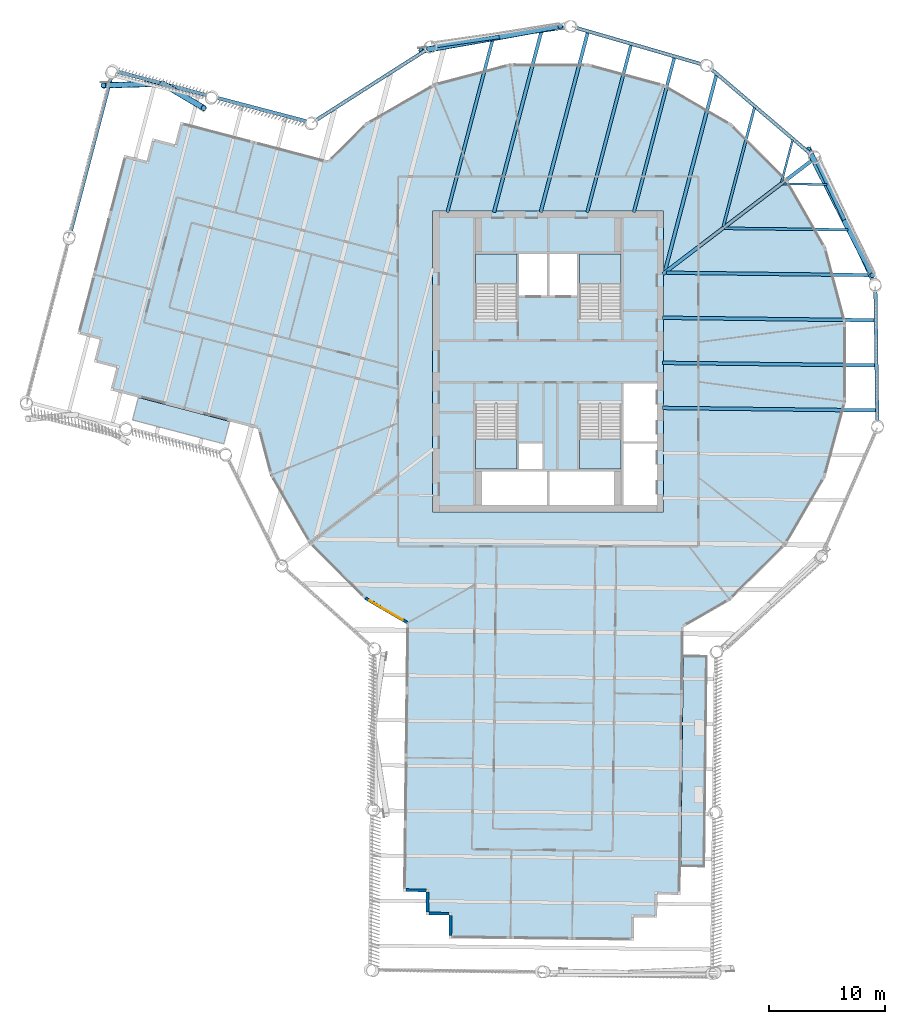
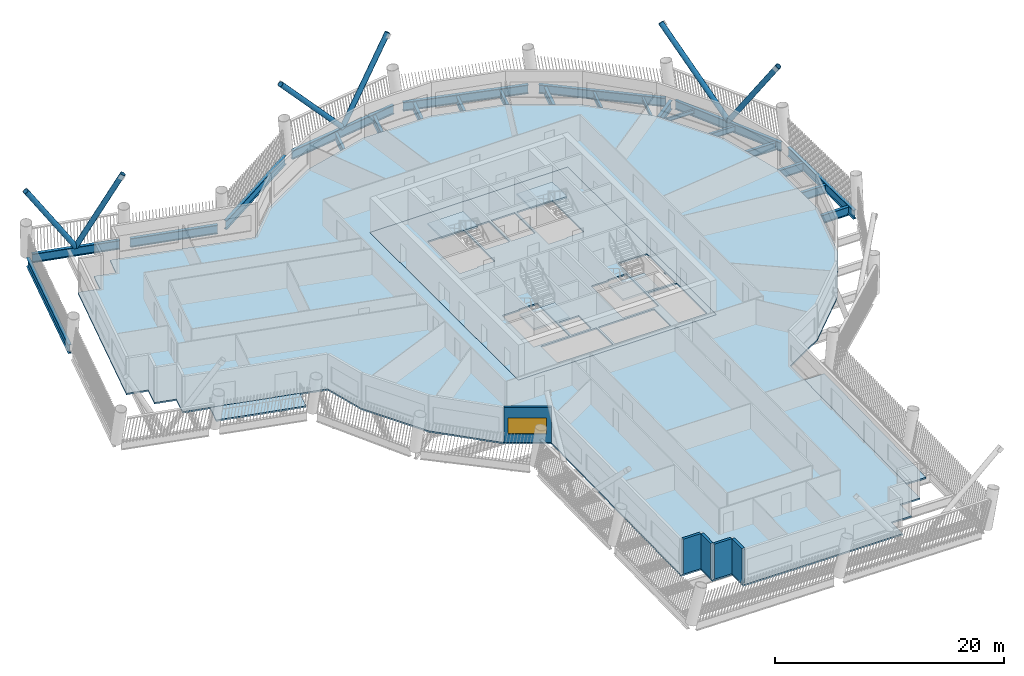
# One storey, part 2 of 21: 24 beams, 8 slabs, 6 members, 5 walls, 1 window, 1 opening, 4 elements without a shape of their own.
"""IFC4 building model written with IfcOpenShell, lengths in metres."""

from ifc_helpers import new_model, si_unit, direction, frame, frame_2d, origin, origin_2d, place, context, subcontext, project, spatial, polyline, rectangle, hollow_circle, i_section, outline, extrude, material, layer, layer_set, material_profile, profile_set, type_object, element, fill, aggregate, save


model = new_model("IFC4")

# Units and contexts
model_context = context("Model", 3, precision=1e-05, world=origin(), true_north=direction((0.0, 1.0)))
body_context = subcontext(model_context, "Body", "Model", "MODEL_VIEW")
ifc_project = project(units=[si_unit("LENGTHUNIT", "METRE"), si_unit("AREAUNIT", "SQUARE_METRE"), si_unit("VOLUMEUNIT", "CUBIC_METRE"), si_unit("PLANEANGLEUNIT", "RADIAN"), si_unit("MASSUNIT", "GRAM", prefix="KILO")], contexts=[model_context])

# Site, building, storey
site_placement = place(None, origin())
site = spatial("IfcSite", under=ifc_project, at=site_placement, CompositionType="ELEMENT")
building_placement = place(site_placement, origin())
building = spatial("IfcBuilding", under=site, at=building_placement, Name="Tarsis Ring Headquarters", CompositionType="ELEMENT")
storey_placement = place(building_placement, frame((0.0, 0.0, 223.800048828125)))
storey = spatial("IfcBuildingStorey", under=building, at=storey_placement, Name="L52", CompositionType="ELEMENT", Elevation=223.800048828125)

# Beams
ifc_material_1 = material(Name="Structural steel S355", Category="steel")
ifc_material_profile_1 = material_profile(ifc_material_1, i_section(OverallWidth=0.177734375, OverallDepth=0.406494140625, WebThickness=0.0078125, FlangeThickness=0.0126953125, at=origin_2d()), Name="W16x40")
ifc_profile_set_1 = profile_set([ifc_material_profile_1], Name="Structural steel S355")
beam_type_1 = type_object("IfcBeamType", Name="FB Floor beam W16x40", PredefinedType="JOIST", material=ifc_profile_set_1)
beam_1_placement = place(storey_placement, frame((20.302490234375, 15.360107421875, -0.36328125), z_axis=(0.999929554387, -0.011869551977, 0.0), x_axis=(0.011869551977, 0.999929554387, 0.0)))
element("IfcBeam", 1, at=beam_1_placement, inside=storey, type_object=beam_type_1, Name="Floor beam FB1", PredefinedType="JOIST", context=body_context, shape_type="SweptSolid", body=[
    extrude(i_section(OverallWidth=0.177734375, OverallDepth=0.406494140625, WebThickness=0.0078125, FlangeThickness=0.0126953125, at=origin_2d()), origin(), (0.0, 0.0, 1.0), 3.80517578125),
])
beam_2_placement = place(storey_placement, frame((21.153564453125, 19.189697265625, -0.36328125), z_axis=(-0.253419429878, -0.967356497141, 0.0), x_axis=(0.967356497141, -0.253419429878, 0.0)))
element("IfcBeam", 2, at=beam_2_placement, inside=storey, type_object=beam_type_1, Name="Floor beam FB1", PredefinedType="JOIST", context=body_context, shape_type="SweptSolid", body=[
    extrude(i_section(OverallWidth=0.177734375, OverallDepth=0.406494140625, WebThickness=0.0078125, FlangeThickness=0.0126953125, at=origin_2d()), origin(), (0.0, 0.0, 1.0), 3.805419921875),
])
ifc_material_profile_2 = material_profile(ifc_material_1, i_section(OverallWidth=0.228271484375, OverallDepth=0.607177734375, WebThickness=0.01123046875, FlangeThickness=0.017333984375, at=origin_2d()), Name="W24x76")
ifc_profile_set_2 = profile_set([ifc_material_profile_2], Name="Structural steel S355")
beam_type_2 = type_object("IfcBeamType", Name="FB Floor beam W24x76", PredefinedType="JOIST", material=ifc_profile_set_2)
beam_3_placement = place(storey_placement, frame((15.264892578125, 11.51953125, -0.463623046875), z_axis=(0.999929679098, -0.011859041234, 0.0), x_axis=(0.011859041234, 0.999929679098, 0.0)))
element("IfcBeam", 3, at=beam_3_placement, inside=storey, type_object=beam_type_2, Name="Floor beam FB4", PredefinedType="JOIST", context=body_context, shape_type="SweptSolid", body=[
    extrude(i_section(OverallWidth=0.228271484375, OverallDepth=0.607177734375, WebThickness=0.01123046875, FlangeThickness=0.017333984375, at=origin_2d()), origin(), (0.0, 0.0, 1.0), 10.6845703125),
])
beam_4_placement = place(storey_placement, frame((17.859375, 22.004150390625, -0.463623046875), z_axis=(-0.253423539518, -0.967355420524, 0.0), x_axis=(0.967355420524, -0.253423539518, 0.0)))
element("IfcBeam", 4, at=beam_4_placement, inside=storey, type_object=beam_type_2, Name="Floor beam FB4", PredefinedType="JOIST", context=body_context, shape_type="SweptSolid", body=[
    extrude(i_section(OverallWidth=0.228271484375, OverallDepth=0.607177734375, WebThickness=0.01123046875, FlangeThickness=0.017333984375, at=origin_2d()), origin(), (0.0, 0.0, 1.0), 10.684814453125),
])
ifc_material_profile_3 = material_profile(ifc_material_1, i_section(OverallWidth=0.2666015625, OverallDepth=0.7568359375, WebThickness=0.013916015625, FlangeThickness=0.019287109375, at=origin_2d()), Name="W30x108")
ifc_profile_set_3 = profile_set([ifc_material_profile_3], Name="Structural steel S355")
beam_type_3 = type_object("IfcBeamType", Name="FB Floor beam W30x108", PredefinedType="JOIST", material=ifc_profile_set_3)
beam_5_placement = place(storey_placement, frame((10.931640625, 26.33837890625, -0.53857421875), z_axis=(-0.253431458954, -0.967353345791, 0.0), x_axis=(0.967353345791, -0.253431458954, 0.0)))
element("IfcBeam", 5, at=beam_5_placement, inside=storey, type_object=beam_type_3, Name="Floor beam FB6", PredefinedType="JOIST", context=body_context, shape_type="SweptSolid", body=[
    extrude(i_section(OverallWidth=0.2666015625, OverallDepth=0.7568359375, WebThickness=0.013916015625, FlangeThickness=0.019287109375, at=origin_2d()), origin(), (0.0, 0.0, 1.0), 13.888427734375),
])
beam_6_placement = place(storey_placement, frame((7.1845703125, 27.424560546875, -0.53857421875), z_axis=(-0.25342280724, -0.967355612363, 0.0), x_axis=(0.967355612363, -0.25342280724, 0.0)))
element("IfcBeam", 6, at=beam_6_placement, inside=storey, type_object=beam_type_3, Name="Floor beam FB6", PredefinedType="JOIST", context=body_context, shape_type="SweptSolid", body=[
    extrude(i_section(OverallWidth=0.2666015625, OverallDepth=0.7568359375, WebThickness=0.013916015625, FlangeThickness=0.019287109375, at=origin_2d()), origin(), (0.0, 0.0, 1.0), 15.01123046875),
])
beam_7_placement = place(storey_placement, frame((-4.77587890625, 27.9375, -0.53857421875), z_axis=(-0.253431493681, -0.967353336693, 0.0), x_axis=(0.967353336693, -0.253431493681, 0.0)))
element("IfcBeam", 7, at=beam_7_placement, inside=storey, type_object=beam_type_3, Name="Floor beam FB6", PredefinedType="JOIST", context=body_context, shape_type="SweptSolid", body=[
    extrude(i_section(OverallWidth=0.2666015625, OverallDepth=0.7568359375, WebThickness=0.013916015625, FlangeThickness=0.019287109375, at=origin_2d()), origin(), (0.0, 0.0, 1.0), 15.54150390625),
])
ifc_material_profile_4 = material_profile(ifc_material_1, i_section(OverallWidth=0.2919921875, OverallDepth=0.835693359375, WebThickness=0.013916015625, FlangeThickness=0.018798828125, at=origin_2d()), Name="W33x118")
ifc_profile_set_4 = profile_set([ifc_material_profile_4], Name="Structural steel S355")
beam_type_4 = type_object("IfcBeamType", Name="FB Floor beam W33x118", PredefinedType="JOIST", material=ifc_profile_set_4)
beam_8_placement = place(storey_placement, frame((10.22705078125, 7.67919921875, -0.577880859375), z_axis=(0.999929543166, -0.011870497232, 0.0), x_axis=(0.011870497232, 0.999929543166, 0.0)))
element("IfcBeam", 8, at=beam_8_placement, inside=storey, type_object=beam_type_4, Name="Floor beam FB7", PredefinedType="JOIST", context=body_context, shape_type="SweptSolid", body=[
    extrude(i_section(OverallWidth=0.2919921875, OverallDepth=0.835693359375, WebThickness=0.013916015625, FlangeThickness=0.018798828125, at=origin_2d()), origin(), (0.0, 0.0, 1.0), 17.564208984375),
])
beam_9_placement = place(storey_placement, frame((14.56494140625, 24.818603515625, -0.577880859375), z_axis=(-0.253421022341, -0.96735607996, 0.0), x_axis=(0.96735607996, -0.253421022341, 0.0)))
element("IfcBeam", 9, at=beam_9_placement, inside=storey, type_object=beam_type_4, Name="Floor beam FB7", PredefinedType="JOIST", context=body_context, shape_type="SweptSolid", body=[
    extrude(i_section(OverallWidth=0.2919921875, OverallDepth=0.835693359375, WebThickness=0.013916015625, FlangeThickness=0.018798828125, at=origin_2d()), origin(), (0.0, 0.0, 1.0), 17.564453125),
])
beam_10_placement = place(storey_placement, frame((3.4375, 28.510986328125, -0.577880859375), z_axis=(-0.253425810198, -0.967354825659, 0.0), x_axis=(0.967354825659, -0.253425810198, 0.0)))
element("IfcBeam", 10, at=beam_10_placement, inside=storey, type_object=beam_type_4, Name="Floor beam FB7", PredefinedType="JOIST", context=body_context, shape_type="SweptSolid", body=[
    extrude(i_section(OverallWidth=0.2919921875, OverallDepth=0.835693359375, WebThickness=0.013916015625, FlangeThickness=0.018798828125, at=origin_2d()), origin(), (0.0, 0.0, 1.0), 16.13427734375),
])
beam_11_placement = place(storey_placement, frame((-0.586669921875, 28.539306640625, -0.577880859375), z_axis=(-0.253420305421, -0.967356267773, 0.0), x_axis=(0.967356267773, -0.253420305421, 0.0)))
element("IfcBeam", 11, at=beam_11_placement, inside=storey, type_object=beam_type_4, Name="Floor beam FB7", PredefinedType="JOIST", context=body_context, shape_type="SweptSolid", body=[
    extrude(i_section(OverallWidth=0.2919921875, OverallDepth=0.835693359375, WebThickness=0.013916015625, FlangeThickness=0.018798828125, at=origin_2d()), origin(), (0.0, 0.0, 1.0), 16.16357421875),
])
ifc_material_profile_5 = material_profile(ifc_material_1, i_section(OverallWidth=0.3046875, OverallDepth=0.904296875, WebThickness=0.01513671875, FlangeThickness=0.02001953125, at=origin_2d()), Name="W36x135")
ifc_profile_set_5 = profile_set([ifc_material_profile_5], Name="Structural steel S355")
beam_type_5 = type_object("IfcBeamType", Name="FB Floor beam W36x135", PredefinedType="JOIST", material=ifc_profile_set_5)
beam_12_placement = place(storey_placement, frame((9.89990234375, 3.78271484375, -0.612060546875), z_axis=(0.999929602137, -0.011865528668, 0.0), x_axis=(0.011865528668, 0.999929602137, 0.0)))
element("IfcBeam", 12, at=beam_12_placement, inside=storey, type_object=beam_type_5, Name="Floor beam FB8", PredefinedType="JOIST", context=body_context, shape_type="SweptSolid", body=[
    extrude(i_section(OverallWidth=0.3046875, OverallDepth=0.904296875, WebThickness=0.01513671875, FlangeThickness=0.02001953125, at=origin_2d()), origin(), (0.0, 0.0, 1.0), 18.39453125),
])
beam_13_placement = place(storey_placement, frame((9.89990234375, -0.117431640625, -0.612060546875), z_axis=(0.999929550305, -0.011869895805, 0.0), x_axis=(0.011869895805, 0.999929550305, 0.0)))
element("IfcBeam", 13, at=beam_13_placement, inside=storey, type_object=beam_type_5, Name="Floor beam FB8", PredefinedType="JOIST", context=body_context, shape_type="SweptSolid", body=[
    extrude(i_section(OverallWidth=0.3046875, OverallDepth=0.904296875, WebThickness=0.01513671875, FlangeThickness=0.02001953125, at=origin_2d()), origin(), (0.0, 0.0, 1.0), 18.449462890625),
])
beam_14_placement = place(storey_placement, frame((9.89990234375, -4.017822265625, -0.612060546875), z_axis=(0.999929655328, -0.011861045272, 0.0), x_axis=(0.011861045272, 0.999929655328, 0.0)))
element("IfcBeam", 14, at=beam_14_placement, inside=storey, type_object=beam_type_5, Name="Floor beam FB8", PredefinedType="JOIST", context=body_context, shape_type="SweptSolid", body=[
    extrude(i_section(OverallWidth=0.3046875, OverallDepth=0.904296875, WebThickness=0.01513671875, FlangeThickness=0.02001953125, at=origin_2d()), origin(), (0.0, 0.0, 1.0), 18.50439453125),
])
ifc_material_profile_6 = material_profile(ifc_material_1, i_section(OverallWidth=0.309814453125, OverallDepth=0.949951171875, WebThickness=0.0244140625, FlangeThickness=0.0439453125, at=origin_2d()), Name="W36x256")
ifc_profile_set_6 = profile_set([ifc_material_profile_6], Name="Structural steel S355")
beam_type_6 = type_object("IfcBeamType", Name="FB Floor beam W36x256 spine", PredefinedType="BEAM", material=ifc_profile_set_6)
beam_15_placement = place(storey_placement, frame((23.0546875, 17.57568359375, -0.635009765625), z_axis=(-0.795260323375, -0.606268107413, 0.0), x_axis=(0.606268107413, -0.795260323375, 0.0)))
element("IfcBeam", 15, at=beam_15_placement, inside=storey, type_object=beam_type_6, Name="Floor beam SB11", PredefinedType="BEAM", context=body_context, shape_type="SweptSolid", body=[
    extrude(i_section(OverallWidth=0.309814453125, OverallDepth=0.949951171875, WebThickness=0.0244140625, FlangeThickness=0.0439453125, at=origin_2d()), origin(), (0.0, 0.0, 1.0), 16.515625),
])

# Members
ifc_material_profile_7 = material_profile(ifc_material_1, hollow_circle(Radius=0.25390625, WallThickness=0.02001953125, at=origin_2d()), Name="CHS 508x20")
ifc_profile_set_7 = profile_set([ifc_material_profile_7], Name="Structural steel S355")
member_type = type_object("IfcMemberType", Name="XD X brace CHS 508x20", PredefinedType="BRACE", material=ifc_profile_set_7)
member_1_placement = place(storey_placement, frame((25.703857421875, 12.067138671875, 0.0), z_axis=(-0.304405260299, 0.598981274512, 0.740647601958), x_axis=(-0.891482215201, -0.453055691919, 0.0)))
element("IfcMember", 16, at=member_1_placement, inside=storey, type_object=member_type, Name="X brace XD2", PredefinedType="BRACE", context=body_context, shape_type="SweptSolid", body=[
    extrude(hollow_circle(Radius=0.25390625, WallThickness=0.02001953125, at=origin_2d()), origin(), (0.0, 0.0, 1.0), 10.531494140625),
])
member_2_placement = place(storey_placement, frame((25.703857421875, 12.067138671875, 0.0), z_axis=(0.253021576771, -0.491383552909, 0.833380036729), x_axis=(0.889059546923, 0.457791570504, 0.0)))
element("IfcMember", 17, at=member_2_placement, inside=storey, type_object=member_type, Name="X brace XD2", PredefinedType="BRACE", context=body_context, shape_type="SweptSolid", body=[
    extrude(hollow_circle(Radius=0.25390625, WallThickness=0.02001953125, at=origin_2d()), origin(), (0.0, 0.0, 1.0), 9.359619140625),
])
member_3_placement = place(storey_placement, frame((-4.038330078125, 28.10693359375, 0.0), z_axis=(-0.661744004284, -0.116283339481, 0.740657179641), x_axis=(0.173070782772, -0.984909388802, 0.0)))
element("IfcMember", 18, at=member_3_placement, inside=storey, type_object=member_type, Name="X brace XD2", PredefinedType="BRACE", context=body_context, shape_type="SweptSolid", body=[
    extrude(hollow_circle(Radius=0.25390625, WallThickness=0.02001953125, at=origin_2d()), origin(), (0.0, 0.0, 1.0), 10.53125),
])
member_4_placement = place(storey_placement, frame((-4.038330078125, 28.10693359375, 0.0), z_axis=(0.543839623213, 0.098574029264, 0.833379640367), x_axis=(-0.17834965479, 0.983967174573, 0.0)))
element("IfcMember", 19, at=member_4_placement, inside=storey, type_object=member_type, Name="X brace XD2", PredefinedType="BRACE", context=body_context, shape_type="SweptSolid", body=[
    extrude(hollow_circle(Radius=0.25390625, WallThickness=0.02001953125, at=origin_2d()), origin(), (0.0, 0.0, 1.0), 9.359619140625),
])
member_5_placement = place(storey_placement, frame((-33.346435546875, 24.03515625, 0.0), z_axis=(-0.549254435386, -0.015795347282, 0.835505878024), x_axis=(0.028745912371, -0.999586750874, 0.0)))
element("IfcMember", 20, at=member_5_placement, inside=storey, type_object=member_type, Name="X brace XD2", PredefinedType="BRACE", context=body_context, shape_type="SweptSolid", body=[
    extrude(hollow_circle(Radius=0.25390625, WallThickness=0.02001953125, at=origin_2d()), origin(), (0.0, 0.0, 1.0), 9.335693359375),
])
member_6_placement = place(storey_placement, frame((-33.346435546875, 24.03515625, 0.0), z_axis=(0.402632148073, -0.239422330908, 0.883495501291), x_axis=(0.511106039913, 0.859517664719, 0.0)))
element("IfcMember", 21, at=member_6_placement, inside=storey, type_object=member_type, Name="X brace XD2", PredefinedType="BRACE", context=body_context, shape_type="SweptSolid", body=[
    extrude(hollow_circle(Radius=0.25390625, WallThickness=0.02001953125, at=origin_2d()), origin(), (0.0, 0.0, 1.0), 8.82861328125),
])

# Beams
beam_type_7 = type_object("IfcBeamType", Name="XG Ring girder W36x256", PredefinedType="BEAM", material=ifc_profile_set_6)
beam_16_placement = place(storey_placement, frame((28.47216796875, -5.244140625, -0.47509765625), z_axis=(-0.014079151174, 0.999900883839, 0.0), x_axis=(-0.999900883839, -0.014079151174, 0.0)))
element("IfcBeam", 22, at=beam_16_placement, inside=storey, type_object=beam_type_7, Name="Ring girder XG2", PredefinedType="BEAM", context=body_context, shape_type="SweptSolid", body=[
    extrude(i_section(OverallWidth=0.309814453125, OverallDepth=0.949951171875, WebThickness=0.0244140625, FlangeThickness=0.0439453125, at=origin_2d()), origin(), (0.0, 0.0, 1.0), 11.288818359375),
])
for number, where, z_axis, x_axis, name in (
    (23, (28.1025390625, 6.9580078125, -0.47509765625), (-0.424974047242, 0.905205534214, 0.0), (-0.905205534214, -0.424974047242, 0.0), "Ring girder XG2"),
    (24, (22.736083984375, 17.9228515625, -0.47509765625), (-0.760301356954, 0.649570509348, 0.0), (-0.649570509348, -0.760301356954, 0.0), "Ring girder XG2"),
    (25, (13.3271484375, 25.701171875, -0.47509765625), (-0.960457481783, 0.278426697151, 0.0), (-0.278426697151, -0.960457481783, 0.0), "Ring girder XG2"),
    (26, (1.548583984375, 28.90966796875, -0.47509765625), (-0.989834979179, -0.142220652488, 0.0), (0.142220652488, -0.989834979179, 0.0), "Ring girder XG2"),
    (27, (-10.50537109375, 26.977783203125, -0.47509765625), (-0.843222173864, -0.537565219768, 0.0), (0.537565219768, -0.843222173864, 0.0), "Ring girder XG2"),
):
    element("IfcBeam", number, at=place(storey_placement, frame(where, z_axis=z_axis, x_axis=x_axis)), inside=storey, type_object=beam_type_7, Name=name, PredefinedType="BEAM", context=body_context, shape_type="SweptSolid", body=[
        extrude(i_section(OverallWidth=0.309814453125, OverallDepth=0.949951171875, WebThickness=0.0244140625, FlangeThickness=0.0439453125, at=origin_2d()), origin(), (0.0, 0.0, 1.0), 11.28857421875),
    ])
for number, where, z_axis, x_axis, name in (
    (28, (-20.893310546875, 20.77294921875, -0.47509765625), (-0.967356256242, 0.253420349438, 0.0), (-0.253420349438, -0.967356256242, 0.0), "Ring girder XG2"),
    (29, (-29.5048828125, 23.02880859375, -0.47509765625), (-0.967356256242, 0.253420349438, 0.0), (-0.253420349438, -0.967356256242, 0.0), "Ring girder XG2"),
):
    element("IfcBeam", number, at=place(storey_placement, frame(where, z_axis=z_axis, x_axis=x_axis)), inside=storey, type_object=beam_type_7, Name=name, PredefinedType="BEAM", context=body_context, shape_type="SweptSolid", body=[
        extrude(i_section(OverallWidth=0.309814453125, OverallDepth=0.949951171875, WebThickness=0.0244140625, FlangeThickness=0.0439453125, at=origin_2d()), origin(), (0.0, 0.0, 1.0), 7.942138671875),
    ])
beam_17_placement = place(storey_placement, frame((-37.77392578125, 24.698974609375, -0.47509765625), z_axis=(-0.253419920348, -0.967356368652, 0.0), x_axis=(0.967356368652, -0.253419920348, 0.0)))
element("IfcBeam", 30, at=beam_17_placement, inside=storey, type_object=beam_type_7, Name="Ring girder XG2", PredefinedType="BEAM", context=body_context, shape_type="SweptSolid", body=[
    extrude(i_section(OverallWidth=0.309814453125, OverallDepth=0.949951171875, WebThickness=0.0244140625, FlangeThickness=0.0439453125, at=origin_2d()), origin(), (0.0, 0.0, 1.0), 13.840087890625),
])

# Slabs
ifc_material_2 = material(Name="Concrete C40/50", Category="concrete")
ifc_layer_1 = layer(ifc_material_2, 0.159912109375)
ifc_layer_set_1 = layer_set([ifc_layer_1], Name="Balcony slab concrete C40/50")
slab_type_1 = type_object("IfcSlabType", Name="Balcony slab concrete C40/50", PredefinedType="FLOOR", material=ifc_layer_set_1)
slab_1_placement = place(storey_placement, frame((0.0, 0.0, -0.16015625)))
element("IfcSlab", 31, at=slab_1_placement, inside=storey, type_object=slab_type_1, Name="Balcony slab L52-01", PredefinedType="FLOOR", context=body_context, shape_type="SweptSolid", body=[
    extrude(outline(polyline([(-35.447509765625, -3.11865234375), (-35.954345703125, -5.053466796875), (-28.049072265625, -7.124267578125), (-27.542236328125, -5.189697265625), (-35.447509765625, -3.11865234375)])), origin(), (0.0, 0.0, 1.0), 0.16015625),
])
slab_2_placement = place(storey_placement, frame((0.0, 0.0, -0.16015625)))
element("IfcSlab", 32, at=slab_2_placement, inside=storey, type_object=slab_type_1, Name="Balcony slab L52-16", PredefinedType="FLOOR", context=body_context, shape_type="SweptSolid", body=[
    extrude(outline(polyline([(11.48291015625, -43.639404296875), (13.482666015625, -43.6630859375), (13.6982421875, -25.51318359375), (11.6982421875, -25.4892578125), (11.48291015625, -43.639404296875)])), origin(), (0.0, 0.0, 1.0), 0.16015625),
])
ifc_layer_2 = layer(ifc_material_2, 0.159912109375)
ifc_layer_set_2 = layer_set([ifc_layer_2], Name="Core floor slab 160 C40/50")
slab_type_2 = type_object("IfcSlabType", Name="Core floor slab 160 C40/50", PredefinedType="FLOOR", material=ifc_layer_set_2)
slab_3_placement = place(storey_placement, frame((0.0, 0.0, -0.16015625)))
element("IfcSlab", 33, at=slab_3_placement, inside=storey, type_object=slab_type_2, Name="L52 core floor slab", PredefinedType="FLOOR", context=body_context, shape_type="SweptSolid", body=[
    extrude(outline(polyline([(-10.0, -13.0), (10.0, -13.0), (10.0, 13.0), (-10.0, 13.0), (-10.0, -13.0)]), holes=[polyline([(-2.5, 5.699951171875), (-0.10009765625, 5.699951171875), (-0.10009765625, 9.300048828125), (-2.5, 9.300048828125), (-2.5, 5.699951171875)]), polyline([(0.10009765625, 5.699951171875), (2.5, 5.699951171875), (2.5, 9.300048828125), (0.10009765625, 9.300048828125), (0.10009765625, 5.699951171875)]), polyline([(6.5, -12.39990234375), (9.39990234375, -12.39990234375), (9.39990234375, -7.10009765625), (6.5, -7.10009765625), (6.5, -12.39990234375)]), polyline([(6.5, -6.89990234375), (9.39990234375, -6.89990234375), (9.39990234375, -1.89990234375), (6.5, -1.89990234375), (6.5, -6.89990234375)]), polyline([(-5.699951171875, -12.39990234375), (-0.10009765625, -12.39990234375), (-0.10009765625, -9.5), (-5.699951171875, -9.5), (-5.699951171875, -12.39990234375)]), polyline([(0.10009765625, -12.39990234375), (5.699951171875, -12.39990234375), (5.699951171875, -9.5), (0.10009765625, -9.5), (0.10009765625, -12.39990234375)]), polyline([(-2.5, -9.300048828125), (-0.5, -9.300048828125), (-0.5, -7.10009765625), (-2.5, -7.10009765625), (-2.5, -9.300048828125)]), polyline([(-2.699951171875, 3.760009765625), (-2.699951171875, 9.300048828125), (-6.300048828125, 9.300048828125), (-6.300048828125, 3.659912109375), (-4.4599609375, 3.659912109375), (-4.4599609375, 3.760009765625), (-2.699951171875, 3.760009765625)]), polyline([(6.300048828125, 3.760009765625), (6.300048828125, 9.300048828125), (2.699951171875, 9.300048828125), (2.699951171875, 3.659912109375), (4.5400390625, 3.659912109375), (4.5400390625, 3.760009765625), (6.300048828125, 3.760009765625)]), polyline([(-6.300048828125, -3.760009765625), (-6.300048828125, -9.300048828125), (-2.699951171875, -9.300048828125), (-2.699951171875, -3.659912109375), (-4.5400390625, -3.659912109375), (-4.5400390625, -3.760009765625), (-6.300048828125, -3.760009765625)]), polyline([(2.699951171875, -3.760009765625), (2.699951171875, -9.300048828125), (6.300048828125, -9.300048828125), (6.300048828125, -3.659912109375), (4.4599609375, -3.659912109375), (4.4599609375, -3.760009765625), (2.699951171875, -3.760009765625)])]), origin(), (0.0, 0.0, 1.0), 0.16015625),
])

# Stair, slab
ifc_material_3 = material(Name="Core stair 1760")
stair_type = type_object("IfcStairType", Name="Core stair 1760", PredefinedType="HALF_TURN_STAIR", material=ifc_material_3)
stair_1_placement = place(storey_placement, origin())
stair_1 = element("IfcStair", 34, at=stair_1_placement, inside=storey, type_object=stair_type, Name="L52 Firefighting stair", PredefinedType="HALF_TURN_STAIR")
ifc_layer_3 = layer(ifc_material_2, 0.199951171875)
ifc_layer_set_3 = layer_set([ifc_layer_3], Name="Core stair landing 200")
slab_type_3 = type_object("IfcSlabType", Name="Core stair landing 200", PredefinedType="LANDING", material=ifc_layer_set_3)
slab_4_placement = place(storey_placement, frame((0.0, 0.0, 1.75)))
slab_4 = element("IfcSlab", 35, at=slab_4_placement, type_object=slab_type_3, Name="Stair ST1 landing 1", PredefinedType="LANDING", context=body_context, shape_type="SweptSolid", body=[
    extrude(outline(polyline([(-2.699951171875, 6.739990234375), (-2.699951171875, 9.300048828125), (-6.300048828125, 9.300048828125), (-6.300048828125, 6.739990234375), (-2.699951171875, 6.739990234375)])), origin(), (0.0, 0.0, 1.0), 0.199951171875),
])
aggregate(stair_1, [slab_4])

stair_2_placement = place(storey_placement, origin())
stair_2 = element("IfcStair", 36, at=stair_2_placement, inside=storey, type_object=stair_type, Name="L52 Exit stair B", PredefinedType="HALF_TURN_STAIR")
slab_5_placement = place(storey_placement, frame((0.0, 0.0, 1.75)))
slab_5 = element("IfcSlab", 37, at=slab_5_placement, type_object=slab_type_3, Name="Stair ST2 landing 1", PredefinedType="LANDING", context=body_context, shape_type="SweptSolid", body=[
    extrude(outline(polyline([(6.300048828125, 6.739990234375), (6.300048828125, 9.300048828125), (2.699951171875, 9.300048828125), (2.699951171875, 6.739990234375), (6.300048828125, 6.739990234375)])), origin(), (0.0, 0.0, 1.0), 0.199951171875),
])
aggregate(stair_2, [slab_5])

stair_3_placement = place(storey_placement, origin())
stair_3 = element("IfcStair", 38, at=stair_3_placement, inside=storey, type_object=stair_type, Name="L52 Exit stair C", PredefinedType="HALF_TURN_STAIR")
slab_6_placement = place(storey_placement, frame((0.0, 0.0, 1.75)))
slab_6 = element("IfcSlab", 39, at=slab_6_placement, type_object=slab_type_3, Name="Stair ST3 landing 1", PredefinedType="LANDING", context=body_context, shape_type="SweptSolid", body=[
    extrude(outline(polyline([(-6.300048828125, -6.739990234375), (-6.300048828125, -9.300048828125), (-2.699951171875, -9.300048828125), (-2.699951171875, -6.739990234375), (-6.300048828125, -6.739990234375)])), origin(), (0.0, 0.0, 1.0), 0.199951171875),
])
aggregate(stair_3, [slab_6])

stair_4_placement = place(storey_placement, origin())
stair_4 = element("IfcStair", 40, at=stair_4_placement, inside=storey, type_object=stair_type, Name="L52 Exit stair D", PredefinedType="HALF_TURN_STAIR")
slab_7_placement = place(storey_placement, frame((0.0, 0.0, 1.75)))
slab_7 = element("IfcSlab", 41, at=slab_7_placement, type_object=slab_type_3, Name="Stair ST4 landing 1", PredefinedType="LANDING", context=body_context, shape_type="SweptSolid", body=[
    extrude(outline(polyline([(2.699951171875, -6.739990234375), (2.699951171875, -9.300048828125), (6.300048828125, -9.300048828125), (6.300048828125, -6.739990234375), (2.699951171875, -6.739990234375)])), origin(), (0.0, 0.0, 1.0), 0.199951171875),
])
aggregate(stair_4, [slab_7])

# Slab
ifc_material_4 = material(Name="Concrete C35/45", Category="concrete")
ifc_layer_4 = layer(ifc_material_4, 0.159912109375)
ifc_layer_set_4 = layer_set([ifc_layer_4], Name="FS Composite floor slab 160")
slab_type_4 = type_object("IfcSlabType", Name="FS Composite floor slab 160", PredefinedType="FLOOR", material=ifc_layer_set_4)
slab_8_placement = place(storey_placement, frame((0.0, 0.0, -0.16015625)))
element("IfcSlab", 42, at=slab_8_placement, inside=storey, type_object=slab_type_4, Name="Floor slab L52", PredefinedType="FLOOR", context=body_context, shape_type="SweptSolid", body=[
    extrude(outline(polyline([(-25.123779296875, -5.8232421875), (-24.052001953125, -9.874267578125), (-20.6767578125, -15.762939453125), (-15.892578125, -20.577392578125), (-12.27001953125, -22.68408203125), (-12.545166015625, -45.854248046875), (-10.545166015625, -45.878173828125), (-10.56884765625, -47.8779296875), (-8.569091796875, -47.901611328125), (-8.5927734375, -49.901611328125), (7.406005859375, -50.09130859375), (7.4296875, -48.091552734375), (9.4296875, -48.115234375), (9.453369140625, -46.115478515625), (11.453125, -46.13916015625), (11.72802734375, -22.989501953125), (15.762939453125, -20.6767578125), (20.577392578125, -15.892578125), (23.989501953125, -10.025146484375), (25.766845703125, -3.474609375), (25.7880859375, 3.312744140625), (24.052001953125, 9.874267578125), (20.6767578125, 15.762939453125), (15.892578125, 20.577392578125), (10.025146484375, 23.989501953125), (3.474609375, 25.766845703125), (-3.312744140625, 25.7880859375), (-9.874267578125, 24.052001953125), (-15.762939453125, 20.6767578125), (-19.061767578125, 17.398681640625), (-31.78369140625, 20.7314453125), (-32.29052734375, 18.796630859375), (-34.225341796875, 19.303466796875), (-34.732177734375, 17.368896484375), (-36.6669921875, 17.875732421875), (-40.7216796875, 2.39794921875), (-38.786865234375, 1.89111328125), (-39.293701171875, -0.043701171875), (-37.359130859375, -0.550537109375), (-37.865966796875, -2.485107421875), (-25.123779296875, -5.8232421875)]), holes=[polyline([(-10.0, -13.0), (-10.0, 13.0), (10.0, 13.0), (10.0, -13.0), (-10.0, -13.0)])]), origin(), (0.0, 0.0, 1.0), 0.16015625),
])

# Wall, opening, window
ifc_material_5 = material(Name="Terracotta clad insulated panel wall", Category="masonry")
ifc_layer_5 = layer(ifc_material_5, 0.25)
ifc_layer_set_5 = layer_set([ifc_layer_5], Name="Facade wall terracotta panel 250")
wall_type = type_object("IfcWallType", Name="Facade wall terracotta panel 250", PredefinedType="STANDARD", material=ifc_layer_set_5)
wall_1_placement = place(storey_placement, frame((-15.80126953125, -20.48583984375, 0.0), z_axis=(0.0, 0.0, 1.0), x_axis=(0.864449028388, -0.502720476328, 0.0)))
wall_1 = element("IfcWall", 43, at=wall_1_placement, inside=storey, type_object=wall_type, Name="External wall L52-05", PredefinedType="STANDARD", context=body_context, shape_type="SweptSolid", body=[
    extrude(rectangle(XDim=4.157470703125, YDim=0.25, at=frame_2d((2.07861328125, 0.0))), origin(), (0.0, 0.0, 1.0), 3.739990234375),
])
opening_placement = place(wall_1_placement, frame((0.38720703125, 0.0, 0.89990234375)))
opening = element("IfcOpeningElement", 44, at=opening_placement, cuts=wall_1, Name="Opening WN01", PredefinedType="OPENING", context=body_context, shape_type="SweptSolid", body=[
    extrude(rectangle(XDim=3.35009765625, YDim=1.699951171875, at=frame_2d((1.675048828125, 0.85009765625))), frame((0.0, 0.135009765625, 0.0), z_axis=(0.0, -1.0, 0.0), x_axis=(1.0, 0.0, 0.0)), (0.0, 0.0, 1.0), 0.27001953125),
])
ifc_material_6 = material(Name="Aluminium framed double glazing", Category="aluminium")
window_type = type_object("IfcWindowType", Name="Facade window 3350 x 1700", PartitioningType="SINGLE_PANEL", PredefinedType="WINDOW", material=ifc_material_6)
window_placement = place(opening_placement, origin())
window = element("IfcWindow", 45, at=window_placement, inside=storey, type_object=window_type, Name="Window L52-05.1", OverallHeight=1.699951171875, OverallWidth=3.35009765625, PartitioningType="SINGLE_PANEL", PredefinedType="WINDOW", context=body_context, shape_type="SweptSolid", body=[
    extrude(rectangle(XDim=3.35009765625, YDim=1.699951171875, at=frame_2d((1.675048828125, 0.85009765625))), frame((0.0, 0.030029296875, 0.0), z_axis=(0.0, -1.0, 0.0), x_axis=(1.0, 0.0, 0.0)), (0.0, 0.0, 1.0), 0.06005859375),
])
fill(opening, window)

# Walls
wall_2_placement = place(storey_placement, frame((-12.293701171875, -45.732421875, 0.0), z_axis=(0.0, 0.0, 1.0), x_axis=(0.999929698262, -0.011857425272, 0.0)))
element("IfcWall", 46, at=wall_2_placement, inside=storey, type_object=wall_type, Name="External wall L52-07", PredefinedType="STANDARD", context=body_context, shape_type="SweptSolid", body=[
    extrude(rectangle(XDim=1.750244140625, YDim=0.25, at=frame_2d((0.875, 0.0))), origin(), (0.0, 0.0, 1.0), 3.739990234375),
])
for number, where, z_axis, x_axis, name in (
    (47, (-10.420166015625, -45.879638671875, 0.0), (0.0, 0.0, 1.0), (-0.011859079487, -0.999929678644, 0.0), "External wall L52-08"),
    (48, (-10.3173828125, -47.755859375, 0.0), (0.0, 0.0, 1.0), (0.999929678644, -0.011859079487, 0.0), "External wall L52-09"),
):
    element("IfcWall", number, at=place(storey_placement, frame(where, z_axis=z_axis, x_axis=x_axis)), inside=storey, type_object=wall_type, Name=name, PredefinedType="STANDARD", context=body_context, shape_type="SweptSolid", body=[
        extrude(rectangle(XDim=1.75, YDim=0.25, at=frame_2d((0.875, 0.0))), origin(), (0.0, 0.0, 1.0), 3.739990234375),
    ])
wall_3_placement = place(storey_placement, frame((-8.444091796875, -47.903076171875, 0.0), z_axis=(0.0, 0.0, 1.0), x_axis=(-0.011857425272, -0.999929698262, 0.0)))
element("IfcWall", 49, at=wall_3_placement, inside=storey, type_object=wall_type, Name="External wall L52-10", PredefinedType="STANDARD", context=body_context, shape_type="SweptSolid", body=[
    extrude(rectangle(XDim=1.750244140625, YDim=0.25, at=frame_2d((0.875, 0.0))), origin(), (0.0, 0.0, 1.0), 3.739990234375),
])

save(model, "model.ifc")
